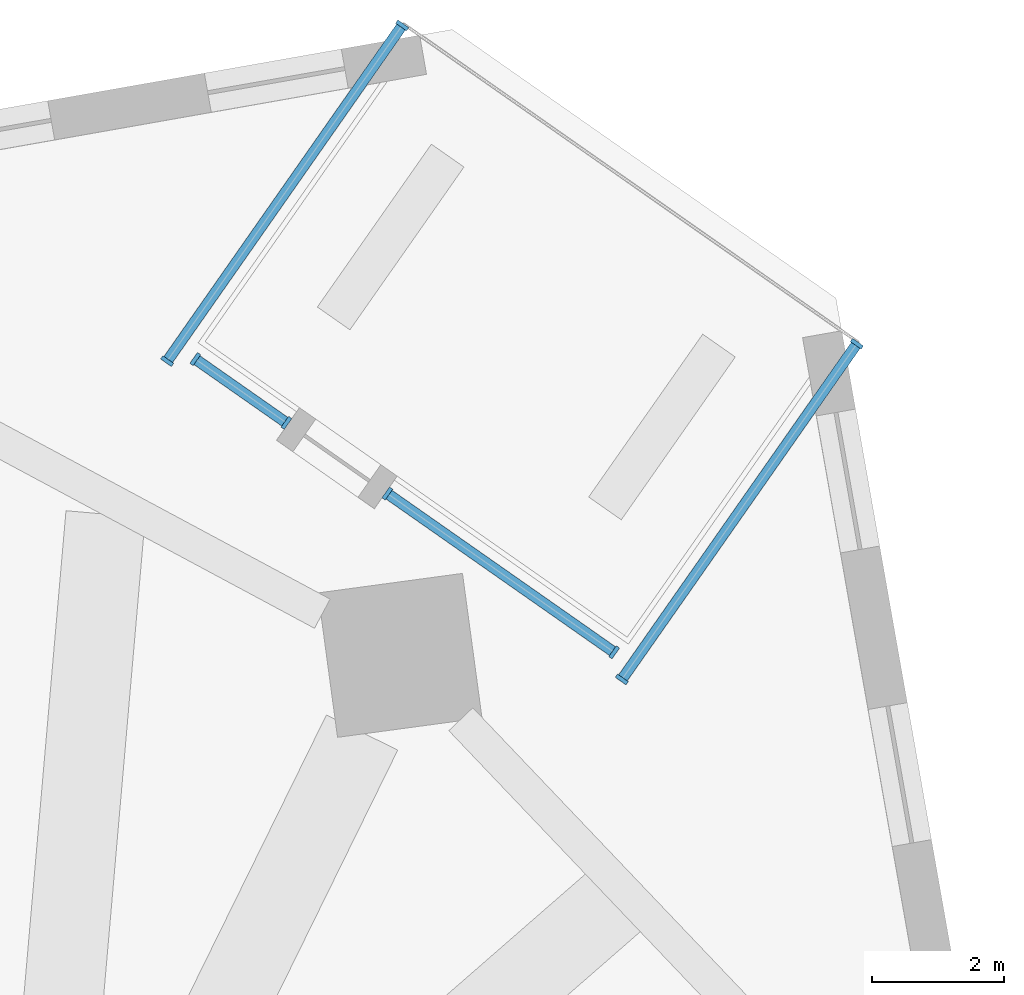
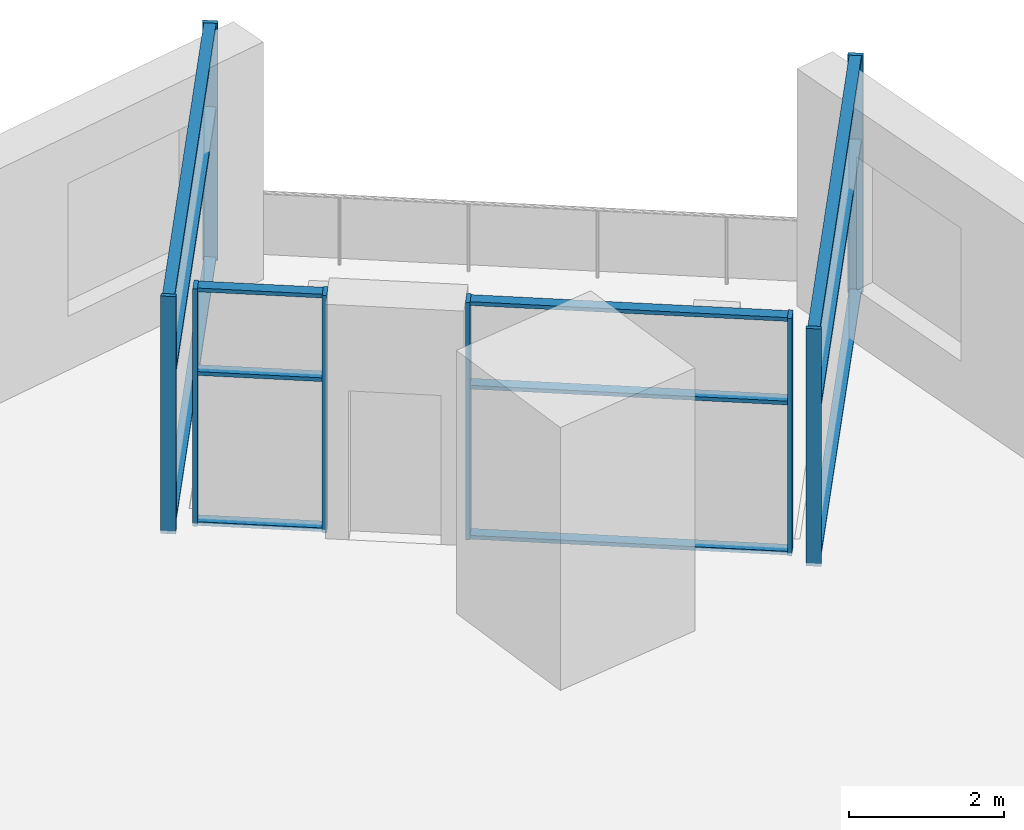
# One storey, part 2 of 10: 20 members, 4 elements without a shape of their own.
"""IFC4 building model written with IfcOpenShell, lengths in metres."""

from ifc_helpers import new_model, si_unit, direction, frame, origin, origin_2d, place, context, subcontext, project, spatial, rectangle, extrude, material, material_profile, profile_set, type_object, element, aggregate, save


model = new_model("IFC4")

# Units and contexts
model_context = context("Model", 3, precision=1e-05, world=origin(), true_north=direction((0.0, 1.0)))
body_context = subcontext(model_context, "Body", "Model", "MODEL_VIEW")
ifc_project = project(units=[si_unit("LENGTHUNIT", "METRE"), si_unit("AREAUNIT", "SQUARE_METRE"), si_unit("VOLUMEUNIT", "CUBIC_METRE"), si_unit("PLANEANGLEUNIT", "RADIAN"), si_unit("MASSUNIT", "GRAM", prefix="KILO")], contexts=[model_context])

# Site, building, storey
site_placement = place(None, origin())
site = spatial("IfcSite", under=ifc_project, at=site_placement, CompositionType="ELEMENT")
building_placement = place(site_placement, origin())
building = spatial("IfcBuilding", under=site, at=building_placement, Name="Dilmun Exchange Tower", CompositionType="ELEMENT")
storey_placement = place(building_placement, frame((0.0, 0.0, 59.699951171875)))
storey = spatial("IfcBuildingStorey", under=building, at=storey_placement, Name="L13", CompositionType="ELEMENT", Elevation=59.699951171875)

# Curtain wall, members
ifc_material_1 = material(Name="Anodised aluminium and clear glass", Category="aluminium")
curtain_wall_type = type_object("IfcCurtainWallType", Name="Garden corner glazing", PredefinedType="NOTDEFINED", material=ifc_material_1)
curtain_wall_1_placement = place(storey_placement, origin())
curtain_wall_1 = element("IfcCurtainWall", 1, at=curtain_wall_1_placement, inside=storey, type_object=curtain_wall_type, Name="Garden corner glazing run GC1.1", PredefinedType="NOTDEFINED")
ifc_material_2 = material(Name="Anodised aluminium", Category="aluminium")
ifc_material_profile_1 = material_profile(ifc_material_2, rectangle(XDim=0.199951171875, YDim=0.06005859375, at=origin_2d()), Name="AL 60x200")
ifc_profile_set_1 = profile_set([ifc_material_profile_1], Name="Anodised aluminium")
member_type_1 = type_object("IfcMemberType", Name="Garden corner glazing mullion 60 x 200", PredefinedType="MULLION", material=ifc_profile_set_1)
member_1_placement = place(storey_placement, frame((25.518310546875, 29.140625, 0.0), z_axis=(0.0, 0.0, 1.0), x_axis=(0.819153693935, -0.573574080405, 0.0)))
member_1 = element("IfcMember", 2, at=member_1_placement, type_object=member_type_1, Name="GC1.1 mullion 1", PredefinedType="MULLION", context=body_context, shape_type="SweptSolid", body=[
    extrude(rectangle(XDim=0.199951171875, YDim=0.06005859375, at=origin_2d()), origin(), (0.0, 0.0, 1.0), 3.75),
])
member_2_placement = place(storey_placement, frame((21.969970703125, 24.072998046875, 0.0), z_axis=(0.0, 0.0, 1.0), x_axis=(0.819153693935, -0.573574080405, 0.0)))
member_2 = element("IfcMember", 3, at=member_2_placement, type_object=member_type_1, Name="GC1.1 mullion 2", PredefinedType="MULLION", context=body_context, shape_type="SweptSolid", body=[
    extrude(rectangle(XDim=0.199951171875, YDim=0.06005859375, at=origin_2d()), origin(), (0.0, 0.0, 1.0), 3.75),
])

curtain_wall_2_placement = place(storey_placement, origin())
curtain_wall_2 = element("IfcCurtainWall", 4, at=curtain_wall_2_placement, inside=storey, type_object=curtain_wall_type, Name="Garden corner glazing run GC2.1", PredefinedType="NOTDEFINED")
member_3_placement = place(storey_placement, frame((21.8544921875, 24.4833984375, 0.0), z_axis=(0.0, 0.0, 1.0), x_axis=(-0.573576332556, -0.819152116967, 0.0)))
member_3 = element("IfcMember", 5, at=member_3_placement, type_object=member_type_1, Name="GC2.1 mullion 1", PredefinedType="MULLION", context=body_context, shape_type="SweptSolid", body=[
    extrude(rectangle(XDim=0.199951171875, YDim=0.06005859375, at=origin_2d()), origin(), (0.0, 0.0, 1.0), 3.75),
])
member_4_placement = place(storey_placement, frame((18.431396484375, 26.88037109375, 0.0), z_axis=(0.0, 0.0, 1.0), x_axis=(-0.573576332556, -0.819152116967, 0.0)))
member_4 = element("IfcMember", 6, at=member_4_placement, type_object=member_type_1, Name="GC2.1 mullion 2", PredefinedType="MULLION", context=body_context, shape_type="SweptSolid", body=[
    extrude(rectangle(XDim=0.199951171875, YDim=0.06005859375, at=origin_2d()), origin(), (0.0, 0.0, 1.0), 3.75),
])

curtain_wall_3_placement = place(storey_placement, origin())
curtain_wall_3 = element("IfcCurtainWall", 7, at=curtain_wall_3_placement, inside=storey, type_object=curtain_wall_type, Name="Garden corner glazing run GC2.3", PredefinedType="NOTDEFINED")
member_5_placement = place(storey_placement, frame((16.90771484375, 27.947265625, 0.0), z_axis=(0.0, 0.0, 1.0), x_axis=(-0.573570394551, -0.81915627477, 0.0)))
member_5 = element("IfcMember", 8, at=member_5_placement, type_object=member_type_1, Name="GC2.3 mullion 1", PredefinedType="MULLION", context=body_context, shape_type="SweptSolid", body=[
    extrude(rectangle(XDim=0.199951171875, YDim=0.06005859375, at=origin_2d()), origin(), (0.0, 0.0, 1.0), 3.75),
])
member_6_placement = place(storey_placement, frame((15.5322265625, 28.910400390625, 0.0), z_axis=(0.0, 0.0, 1.0), x_axis=(-0.573570394551, -0.81915627477, 0.0)))
member_6 = element("IfcMember", 9, at=member_6_placement, type_object=member_type_1, Name="GC2.3 mullion 2", PredefinedType="MULLION", context=body_context, shape_type="SweptSolid", body=[
    extrude(rectangle(XDim=0.199951171875, YDim=0.06005859375, at=origin_2d()), origin(), (0.0, 0.0, 1.0), 3.75),
])

curtain_wall_4_placement = place(storey_placement, origin())
curtain_wall_4 = element("IfcCurtainWall", 10, at=curtain_wall_4_placement, inside=storey, type_object=curtain_wall_type, Name="Garden corner glazing run GC3.1", PredefinedType="NOTDEFINED")
member_7_placement = place(storey_placement, frame((15.10693359375, 28.87841796875, 0.0), z_axis=(0.0, 0.0, 1.0), x_axis=(-0.819153693935, 0.573574080405, 0.0)))
member_7 = element("IfcMember", 11, at=member_7_placement, type_object=member_type_1, Name="GC3.1 mullion 1", PredefinedType="MULLION", context=body_context, shape_type="SweptSolid", body=[
    extrude(rectangle(XDim=0.199951171875, YDim=0.06005859375, at=origin_2d()), origin(), (0.0, 0.0, 1.0), 3.75),
])
member_8_placement = place(storey_placement, frame((18.6552734375, 33.946044921875, 0.0), z_axis=(0.0, 0.0, 1.0), x_axis=(-0.819153693935, 0.573574080405, 0.0)))
member_8 = element("IfcMember", 12, at=member_8_placement, type_object=member_type_1, Name="GC3.1 mullion 2", PredefinedType="MULLION", context=body_context, shape_type="SweptSolid", body=[
    extrude(rectangle(XDim=0.199951171875, YDim=0.06005859375, at=origin_2d()), origin(), (0.0, 0.0, 1.0), 3.75),
])

# Member
ifc_material_profile_2 = material_profile(ifc_material_2, rectangle(XDim=0.159912109375, YDim=0.06005859375, at=origin_2d()), Name="AL 60x160")
ifc_profile_set_2 = profile_set([ifc_material_profile_2], Name="Anodised aluminium")
member_type_2 = type_object("IfcMemberType", Name="Garden corner glazing transom 60 x 160", PredefinedType="USERDEFINED", material=ifc_profile_set_2)
member_9_placement = place(storey_placement, frame((25.501220703125, 29.115966796875, 0.030029296875), z_axis=(-0.573582695065, -0.819147661854, 0.0), x_axis=(0.819147661854, -0.573582695065, 0.0)))
member_9 = element("IfcMember", 13, at=member_9_placement, type_object=member_type_2, Name="GC1.1 transom 1.1", ObjectType="TRANSOM", PredefinedType="USERDEFINED", context=body_context, shape_type="SweptSolid", body=[
    extrude(rectangle(XDim=0.159912109375, YDim=0.06005859375, at=origin_2d()), origin(), (0.0, 0.0, 1.0), 6.126220703125),
])

member_10_placement = place(storey_placement, frame((25.501220703125, 29.115966796875, 2.400146484375), z_axis=(-0.573582695065, -0.819147661854, 0.0), x_axis=(0.819147661854, -0.573582695065, 0.0)))
member_10 = element("IfcMember", 14, at=member_10_placement, type_object=member_type_2, Name="GC1.1 transom 1.2", ObjectType="TRANSOM", PredefinedType="USERDEFINED", context=body_context, shape_type="SweptSolid", body=[
    extrude(rectangle(XDim=0.159912109375, YDim=0.06005859375, at=origin_2d()), origin(), (0.0, 0.0, 1.0), 6.126220703125),
])

member_11_placement = place(storey_placement, frame((25.501220703125, 29.115966796875, 3.719970703125), z_axis=(-0.573582695065, -0.819147661854, 0.0), x_axis=(0.819147661854, -0.573582695065, 0.0)))
member_11 = element("IfcMember", 15, at=member_11_placement, type_object=member_type_2, Name="GC1.1 transom 1.3", ObjectType="TRANSOM", PredefinedType="USERDEFINED", context=body_context, shape_type="SweptSolid", body=[
    extrude(rectangle(XDim=0.159912109375, YDim=0.06005859375, at=origin_2d()), origin(), (0.0, 0.0, 1.0), 6.126220703125),
])

aggregate(curtain_wall_1, [member_1, member_2, member_9, member_10, member_11])

member_12_placement = place(storey_placement, frame((21.829833984375, 24.500732421875, 0.030029296875), z_axis=(-0.819148373157, 0.573581679236, 0.0), x_axis=(-0.573581679236, -0.819148373157, 0.0)))
member_12 = element("IfcMember", 16, at=member_12_placement, type_object=member_type_2, Name="GC2.1 transom 1.1", ObjectType="TRANSOM", PredefinedType="USERDEFINED", context=body_context, shape_type="SweptSolid", body=[
    extrude(rectangle(XDim=0.159912109375, YDim=0.06005859375, at=origin_2d()), origin(), (0.0, 0.0, 1.0), 4.118896484375),
])

member_13_placement = place(storey_placement, frame((21.829833984375, 24.500732421875, 2.400146484375), z_axis=(-0.819148373157, 0.573581679236, 0.0), x_axis=(-0.573581679236, -0.819148373157, 0.0)))
member_13 = element("IfcMember", 17, at=member_13_placement, type_object=member_type_2, Name="GC2.1 transom 1.2", ObjectType="TRANSOM", PredefinedType="USERDEFINED", context=body_context, shape_type="SweptSolid", body=[
    extrude(rectangle(XDim=0.159912109375, YDim=0.06005859375, at=origin_2d()), origin(), (0.0, 0.0, 1.0), 4.118896484375),
])

member_14_placement = place(storey_placement, frame((21.829833984375, 24.500732421875, 3.719970703125), z_axis=(-0.819148373157, 0.573581679236, 0.0), x_axis=(-0.573581679236, -0.819148373157, 0.0)))
member_14 = element("IfcMember", 18, at=member_14_placement, type_object=member_type_2, Name="GC2.1 transom 1.3", ObjectType="TRANSOM", PredefinedType="USERDEFINED", context=body_context, shape_type="SweptSolid", body=[
    extrude(rectangle(XDim=0.159912109375, YDim=0.06005859375, at=origin_2d()), origin(), (0.0, 0.0, 1.0), 4.118896484375),
])

aggregate(curtain_wall_2, [member_3, member_4, member_12, member_13, member_14])

member_15_placement = place(storey_placement, frame((16.883056640625, 27.964599609375, 0.030029296875), z_axis=(-0.819239004524, 0.573452224223, 0.0), x_axis=(-0.573452224223, -0.819239004524, 0.0)))
member_15 = element("IfcMember", 19, at=member_15_placement, type_object=member_type_2, Name="GC2.3 transom 1.1", ObjectType="TRANSOM", PredefinedType="USERDEFINED", context=body_context, shape_type="SweptSolid", body=[
    extrude(rectangle(XDim=0.159912109375, YDim=0.06005859375, at=origin_2d()), origin(), (0.0, 0.0, 1.0), 1.619140625),
])

member_16_placement = place(storey_placement, frame((16.883056640625, 27.964599609375, 2.400146484375), z_axis=(-0.819239004524, 0.573452224223, 0.0), x_axis=(-0.573452224223, -0.819239004524, 0.0)))
member_16 = element("IfcMember", 20, at=member_16_placement, type_object=member_type_2, Name="GC2.3 transom 1.2", ObjectType="TRANSOM", PredefinedType="USERDEFINED", context=body_context, shape_type="SweptSolid", body=[
    extrude(rectangle(XDim=0.159912109375, YDim=0.06005859375, at=origin_2d()), origin(), (0.0, 0.0, 1.0), 1.619140625),
])

member_17_placement = place(storey_placement, frame((16.883056640625, 27.964599609375, 3.719970703125), z_axis=(-0.819239004524, 0.573452224223, 0.0), x_axis=(-0.573452224223, -0.819239004524, 0.0)))
member_17 = element("IfcMember", 21, at=member_17_placement, type_object=member_type_2, Name="GC2.3 transom 1.3", ObjectType="TRANSOM", PredefinedType="USERDEFINED", context=body_context, shape_type="SweptSolid", body=[
    extrude(rectangle(XDim=0.159912109375, YDim=0.06005859375, at=origin_2d()), origin(), (0.0, 0.0, 1.0), 1.619140625),
])

aggregate(curtain_wall_3, [member_5, member_6, member_15, member_16, member_17])

member_18_placement = place(storey_placement, frame((15.124267578125, 28.903076171875, 0.030029296875), z_axis=(0.573563971341, 0.819160772242, 0.0), x_axis=(-0.819160772242, 0.573563971341, 0.0)))
member_18 = element("IfcMember", 22, at=member_18_placement, type_object=member_type_2, Name="GC3.1 transom 1.1", ObjectType="TRANSOM", PredefinedType="USERDEFINED", context=body_context, shape_type="SweptSolid", body=[
    extrude(rectangle(XDim=0.159912109375, YDim=0.06005859375, at=origin_2d()), origin(), (0.0, 0.0, 1.0), 6.12646484375),
])

member_19_placement = place(storey_placement, frame((15.124267578125, 28.903076171875, 2.400146484375), z_axis=(0.573563971341, 0.819160772242, 0.0), x_axis=(-0.819160772242, 0.573563971341, 0.0)))
member_19 = element("IfcMember", 23, at=member_19_placement, type_object=member_type_2, Name="GC3.1 transom 1.2", ObjectType="TRANSOM", PredefinedType="USERDEFINED", context=body_context, shape_type="SweptSolid", body=[
    extrude(rectangle(XDim=0.159912109375, YDim=0.06005859375, at=origin_2d()), origin(), (0.0, 0.0, 1.0), 6.12646484375),
])

member_20_placement = place(storey_placement, frame((15.124267578125, 28.903076171875, 3.719970703125), z_axis=(0.573563971341, 0.819160772242, 0.0), x_axis=(-0.819160772242, 0.573563971341, 0.0)))
member_20 = element("IfcMember", 24, at=member_20_placement, type_object=member_type_2, Name="GC3.1 transom 1.3", ObjectType="TRANSOM", PredefinedType="USERDEFINED", context=body_context, shape_type="SweptSolid", body=[
    extrude(rectangle(XDim=0.159912109375, YDim=0.06005859375, at=origin_2d()), origin(), (0.0, 0.0, 1.0), 6.12646484375),
])

aggregate(curtain_wall_4, [member_7, member_8, member_18, member_19, member_20])

save(model, "model.ifc")
